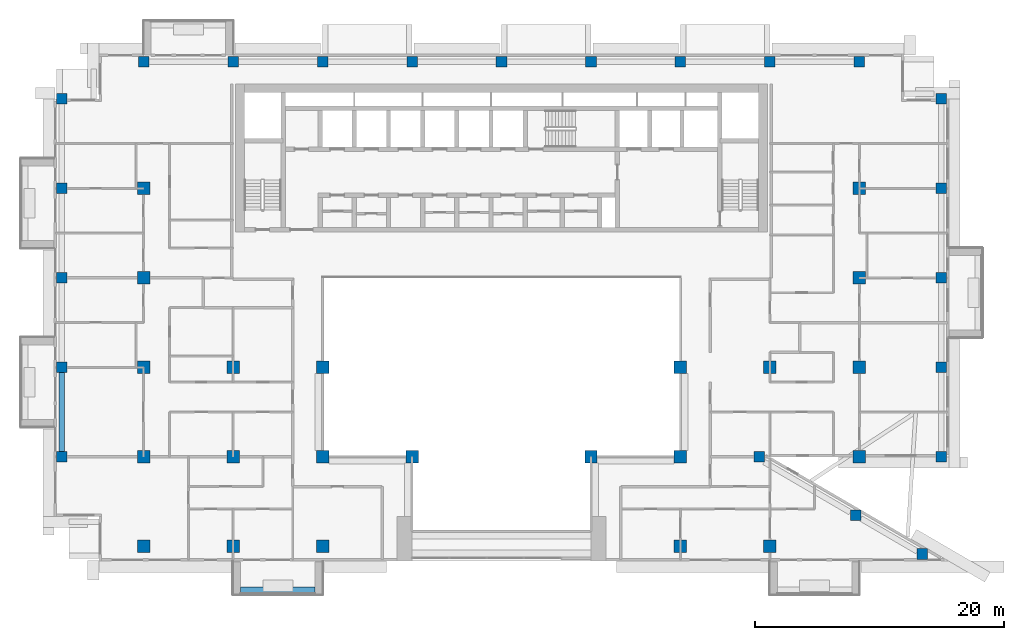
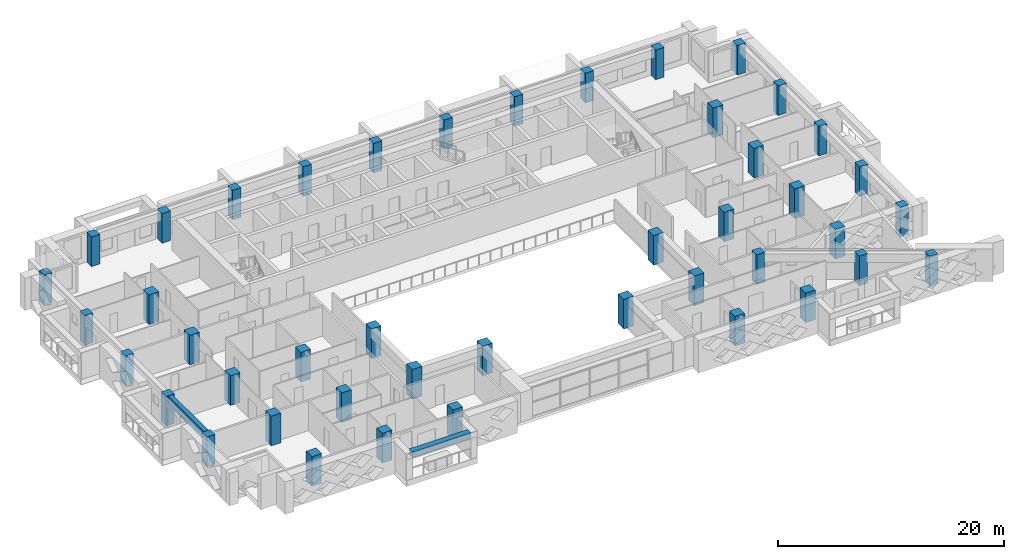
# One storey, part 1 of 20: 44 columns, 2 beams.
"""IFC4 building model written with IfcOpenShell, lengths in metres."""

from ifc_helpers import new_model, si_unit, direction, frame, origin, origin_2d, place, context, subcontext, project, spatial, rectangle, extrude, source, transform, mapped, material, material_profile, profile_set, type_object, element, save


model = new_model("IFC4")

# Units and contexts
model_context = context("Model", 3, precision=1e-05, world=origin(), true_north=direction((0.0, 1.0)))
body_context = subcontext(model_context, "Body", "Model", "MODEL_VIEW")
ifc_project = project(units=[si_unit("LENGTHUNIT", "METRE"), si_unit("AREAUNIT", "SQUARE_METRE"), si_unit("VOLUMEUNIT", "CUBIC_METRE"), si_unit("PLANEANGLEUNIT", "RADIAN"), si_unit("MASSUNIT", "GRAM", prefix="KILO")], contexts=[model_context])

# Site, building, storey
site_placement = place(None, origin())
site = spatial("IfcSite", under=ifc_project, at=site_placement, CompositionType="ELEMENT")
building_placement = place(site_placement, origin())
building = spatial("IfcBuilding", under=site, at=building_placement, Name="Saffron Iwan Residences", CompositionType="ELEMENT")
storey_placement = place(building_placement, frame((0.0, 0.0, 150.0)))
storey = spatial("IfcBuildingStorey", under=building, at=storey_placement, Name="L39", CompositionType="ELEMENT", Elevation=150.0)

# Columns
ifc_material_1 = material(Name="Concrete C50/60", Category="concrete")
ifc_material_profile_1 = material_profile(ifc_material_1, rectangle(XDim=0.85009765625, YDim=0.85009765625, at=origin_2d()), Name="RC 850x850")
ifc_profile_set_1 = profile_set([ifc_material_profile_1], Name="Concrete C50/60")
column_type_1 = type_object("IfcColumnType", Name="COL RC 850x850 C50/60 3200 HIGH", PredefinedType="COLUMN", material=ifc_profile_set_1)
shared_shape_1 = source(origin(), body_context, "Body", "SweptSolid", [
    extrude(rectangle(XDim=0.85009765625, YDim=0.85009765625, at=origin_2d()), origin(), (0.0, 0.0, 1.0), 3.199951171875),
])
for number, where, z_axis, x_axis, name in (
    (1, (84.276123046875, 40.17431640625, 0.0), (0.0, 0.0, 1.0), (1.0, 0.0, 0.0), "Column C045"),
    (2, (78.897705078125, 43.28173828125, 0.0), (0.0, 0.0, 1.0), (1.0, 0.0, 0.0), "Column C058"),
    (3, (15.0, 48.0, 0.0), (0.0, 0.0, 1.0), (1.0, 0.0, 0.0), "Column C061"),
    (4, (71.14990234375, 48.0, 0.0), (0.0, 0.0, 1.0), (1.0, 0.0, 0.0), "Column C070"),
    (5, (85.800048828125, 48.0, 0.0), (0.0, 0.0, 1.0), (1.0, 0.0, 0.0), "Column C074"),
    (6, (15.0, 55.199951171875, 0.0), (0.0, 0.0, 1.0), (1.0, 0.0, 0.0), "Column C077"),
    (7, (85.800048828125, 55.199951171875, 0.0), (0.0, 0.0, 1.0), (1.0, 0.0, 0.0), "Column C086"),
    (8, (15.0, 62.39990234375, 0.0), (0.0, 0.0, 1.0), (1.0, 0.0, 0.0), "Column C089"),
    (9, (85.800048828125, 62.39990234375, 0.0), (0.0, 0.0, 1.0), (1.0, 0.0, 0.0), "Column C094"),
    (10, (15.0, 69.60009765625, 0.0), (0.0, 0.0, 1.0), (1.0, 0.0, 0.0), "Column C097"),
    (11, (85.800048828125, 69.60009765625, 0.0), (0.0, 0.0, 1.0), (1.0, 0.0, 0.0), "Column C102"),
    (12, (15.0, 76.800048828125, 0.0), (0.0, 0.0, 1.0), (1.0, 0.0, 0.0), "Column C105"),
    (13, (85.800048828125, 76.800048828125, 0.0), (0.0, 0.0, 1.0), (1.0, 0.0, 0.0), "Column C110"),
    (14, (21.60009765625, 79.800048828125, 0.0), (0.0, 0.0, 1.0), (1.0, 0.0, 0.0), "Column C113"),
    (15, (28.800048828125, 79.800048828125, 0.0), (0.0, 0.0, 1.0), (1.0, 0.0, 0.0), "Column C115"),
    (16, (36.0, 79.800048828125, 0.0), (0.0, 0.0, 1.0), (1.0, 0.0, 0.0), "Column C116"),
    (17, (43.199951171875, 79.800048828125, 0.0), (0.0, 0.0, 1.0), (1.0, 0.0, 0.0), "Column C117"),
    (18, (50.39990234375, 79.800048828125, 0.0), (0.0, 0.0, 1.0), (1.0, 0.0, 0.0), "Column C118"),
    (19, (57.60009765625, 79.800048828125, 0.0), (0.0, 0.0, 1.0), (1.0, 0.0, 0.0), "Column C119"),
    (20, (64.800048828125, 79.800048828125, 0.0), (0.0, 0.0, 1.0), (1.0, 0.0, 0.0), "Column C120"),
    (21, (72.0, 79.800048828125, 0.0), (0.0, 0.0, 1.0), (1.0, 0.0, 0.0), "Column C121"),
    (22, (79.199951171875, 79.800048828125, 0.0), (0.0, 0.0, 1.0), (1.0, 0.0, 0.0), "Column C123"),
):
    element("IfcColumn", number, at=place(storey_placement, frame(where, z_axis=z_axis, x_axis=x_axis)), inside=storey, type_object=column_type_1, Name=name, PredefinedType="COLUMN", context=body_context, shape_type="MappedRepresentation", body=[
        mapped(shared_shape_1, transform((0.0, 0.0, 0.0))),
    ])
ifc_material_profile_2 = material_profile(ifc_material_1, rectangle(XDim=1.0, YDim=1.0, at=origin_2d()), Name="RC 1000x1000")
ifc_profile_set_2 = profile_set([ifc_material_profile_2], Name="Concrete C50/60")
column_type_2 = type_object("IfcColumnType", Name="COL RC 1000x1000 C50/60 3200 HIGH", PredefinedType="COLUMN", material=ifc_profile_set_2)
shared_shape_2 = source(origin(), body_context, "Body", "SweptSolid", [
    extrude(rectangle(XDim=1.0, YDim=1.0, at=origin_2d()), origin(), (0.0, 0.0, 1.0), 3.199951171875),
])
for number, where, z_axis, x_axis, name in (
    (23, (21.60009765625, 40.800048828125, 0.0), (0.0, 0.0, 1.0), (1.0, 0.0, 0.0), "Column C049"),
    (24, (28.800048828125, 40.800048828125, 0.0), (0.0, 0.0, 1.0), (1.0, 0.0, 0.0), "Column C051"),
    (25, (36.0, 40.800048828125, 0.0), (0.0, 0.0, 1.0), (1.0, 0.0, 0.0), "Column C052"),
    (26, (64.800048828125, 40.800048828125, 0.0), (0.0, 0.0, 1.0), (1.0, 0.0, 0.0), "Column C055"),
    (27, (72.0, 40.800048828125, 0.0), (0.0, 0.0, 1.0), (1.0, 0.0, 0.0), "Column C056"),
    (28, (21.60009765625, 48.0, 0.0), (0.0, 0.0, 1.0), (1.0, 0.0, 0.0), "Column C063"),
    (29, (28.800048828125, 48.0, 0.0), (0.0, 0.0, 1.0), (1.0, 0.0, 0.0), "Column C064"),
    (30, (36.0, 48.0, 0.0), (0.0, 0.0, 1.0), (1.0, 0.0, 0.0), "Column C065"),
    (31, (43.199951171875, 48.0, 0.0), (0.0, 0.0, 1.0), (1.0, 0.0, 0.0), "Column C066"),
    (32, (57.60009765625, 48.0, 0.0), (0.0, 0.0, 1.0), (1.0, 0.0, 0.0), "Column C068"),
    (33, (64.800048828125, 48.0, 0.0), (0.0, 0.0, 1.0), (1.0, 0.0, 0.0), "Column C069"),
    (34, (79.199951171875, 48.0, 0.0), (0.0, 0.0, 1.0), (1.0, 0.0, 0.0), "Column C072"),
    (35, (21.60009765625, 55.199951171875, 0.0), (0.0, 0.0, 1.0), (1.0, 0.0, 0.0), "Column C079"),
    (36, (28.800048828125, 55.199951171875, 0.0), (0.0, 0.0, 1.0), (1.0, 0.0, 0.0), "Column C080"),
    (37, (36.0, 55.199951171875, 0.0), (0.0, 0.0, 1.0), (1.0, 0.0, 0.0), "Column C081"),
    (38, (64.800048828125, 55.199951171875, 0.0), (0.0, 0.0, 1.0), (1.0, 0.0, 0.0), "Column C082"),
    (39, (72.0, 55.199951171875, 0.0), (0.0, 0.0, 1.0), (1.0, 0.0, 0.0), "Column C083"),
    (40, (79.199951171875, 55.199951171875, 0.0), (0.0, 0.0, 1.0), (1.0, 0.0, 0.0), "Column C084"),
    (41, (21.60009765625, 62.39990234375, 0.0), (0.0, 0.0, 1.0), (1.0, 0.0, 0.0), "Column C091"),
    (42, (79.199951171875, 62.39990234375, 0.0), (0.0, 0.0, 1.0), (1.0, 0.0, 0.0), "Column C092"),
    (43, (21.60009765625, 69.60009765625, 0.0), (0.0, 0.0, 1.0), (1.0, 0.0, 0.0), "Column C099"),
    (44, (79.199951171875, 69.60009765625, 0.0), (0.0, 0.0, 1.0), (1.0, 0.0, 0.0), "Column C100"),
):
    element("IfcColumn", number, at=place(storey_placement, frame(where, z_axis=z_axis, x_axis=x_axis)), inside=storey, type_object=column_type_2, Name=name, PredefinedType="COLUMN", context=body_context, shape_type="MappedRepresentation", body=[
        mapped(shared_shape_2, transform((0.0, 0.0, 0.0))),
    ])

# Beams
ifc_material_profile_3 = material_profile(ifc_material_1, rectangle(XDim=0.449951171875, YDim=0.89990234375, at=origin_2d()), Name="RC 450x900")
ifc_profile_set_3 = profile_set([ifc_material_profile_3], Name="Concrete C50/60")
beam_type_1 = type_object("IfcBeamType", Name="SPANDREL BEAM RC 450x900 C50/60 TOP 3200", PredefinedType="SPANDREL", material=ifc_profile_set_3)
shared_shape_3 = source(origin(), body_context, "Body", "SweptSolid", [
    extrude(rectangle(XDim=0.449951171875, YDim=0.89990234375, at=origin_2d()), origin(), (0.0, 0.0, 1.0), 6.349853515625),
])
beam_1_placement = place(storey_placement, frame((15.0, 48.425048828125, 2.75), z_axis=(0.0, 1.0, 0.0), x_axis=(-1.0, 0.0, 0.0)))
element("IfcBeam", 45, at=beam_1_placement, inside=storey, type_object=beam_type_1, Name="Spandrel beam", PredefinedType="SPANDREL", context=body_context, shape_type="MappedRepresentation", body=[
    mapped(shared_shape_3, transform((0.0, 0.0, 0.0))),
])
ifc_material_2 = material(Name="Concrete C50/60 white painted", Category="concrete")
ifc_material_profile_4 = material_profile(ifc_material_2, rectangle(XDim=0.60009765625, YDim=0.60009765625, at=origin_2d()), Name="BALCONY FASCIA BEAM 600 x 600")
ifc_profile_set_4 = profile_set([ifc_material_profile_4], Name="Concrete C50/60 white painted")
beam_type_2 = type_object("IfcBeamType", Name="BALCONY FASCIA BEAM 600 x 600", PredefinedType="BEAM", material=ifc_profile_set_4)
shared_shape_4 = source(origin(), body_context, "Body", "SweptSolid", [
    extrude(rectangle(XDim=0.60009765625, YDim=0.60009765625, at=origin_2d()), origin(), (0.0, 0.0, 1.0), 6.0),
])
beam_2_placement = place(storey_placement, frame((29.39990234375, 37.199951171875, 2.550048828125), z_axis=(1.0, 0.0, 0.0), x_axis=(0.0, 1.0, 0.0)))
element("IfcBeam", 46, at=beam_2_placement, inside=storey, type_object=beam_type_2, Name="Balcony fascia beam L39 11-0", PredefinedType="BEAM", context=body_context, shape_type="MappedRepresentation", body=[
    mapped(shared_shape_4, transform((0.0, 0.0, 0.0))),
])

save(model, "model.ifc")
